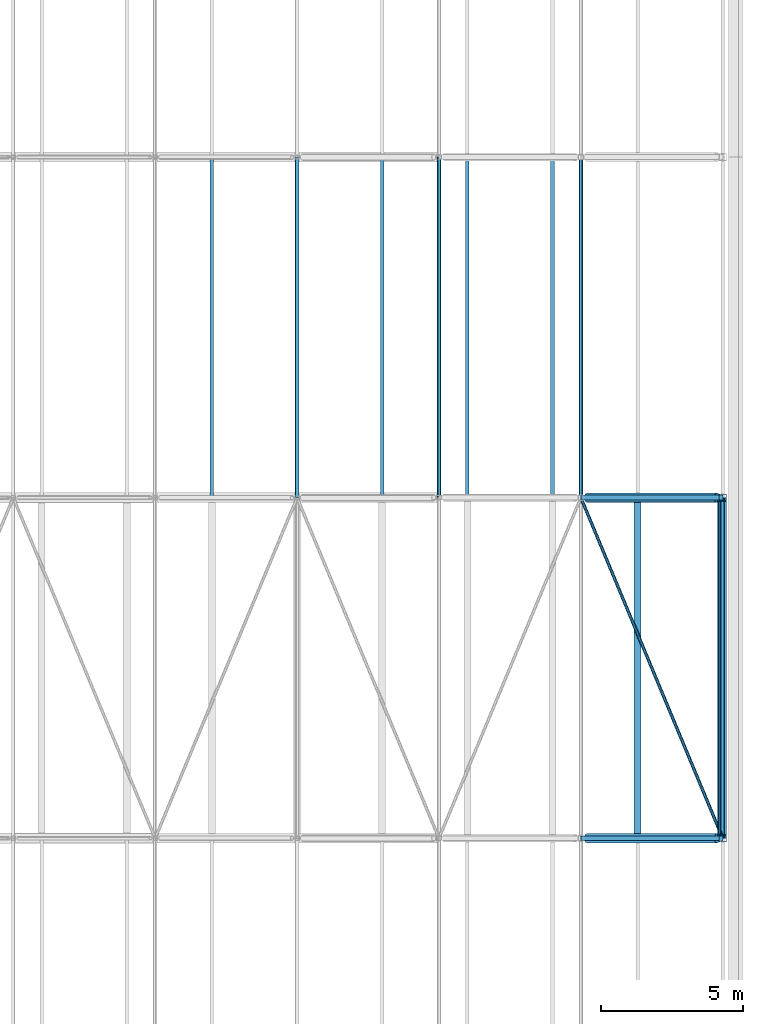
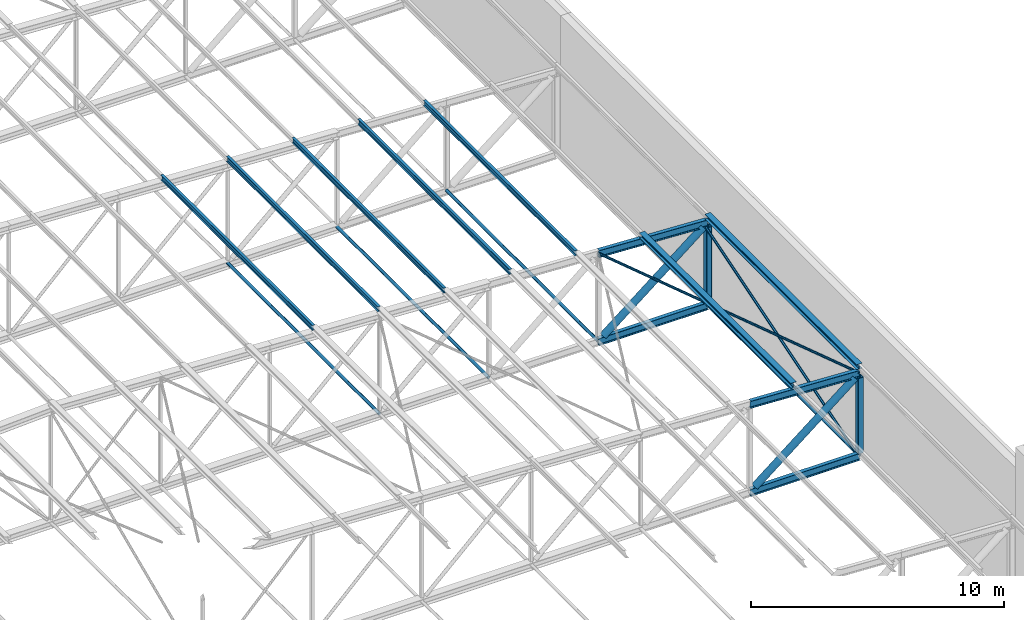
# One storey, part 122 of 156: 21 members.
"""IFC4 building model written with IfcOpenShell, lengths in metres."""

from ifc_helpers import new_model, si_unit, direction, frame, origin, origin_2d, place, context, subcontext, project, spatial, hollow_rectangle, hollow_circle, i_section, extrude, material, material_profile, profile_set, type_object, element, save


model = new_model("IFC4")

# Units and contexts
model_context = context("Model", 3, precision=1e-05, world=origin(), true_north=direction((0.0, 1.0)))
body_context = subcontext(model_context, "Body", "Model", "MODEL_VIEW")
ifc_project = project(units=[si_unit("LENGTHUNIT", "METRE"), si_unit("AREAUNIT", "SQUARE_METRE"), si_unit("VOLUMEUNIT", "CUBIC_METRE"), si_unit("PLANEANGLEUNIT", "RADIAN"), si_unit("MASSUNIT", "GRAM", prefix="KILO")], contexts=[model_context])

# Site, building, storey
site_placement = place(None, origin())
site = spatial("IfcSite", under=ifc_project, at=site_placement, CompositionType="ELEMENT")
building_placement = place(site_placement, origin())
building = spatial("IfcBuilding", under=site, at=building_placement, Name="Lilac Gate Convention Centre", CompositionType="ELEMENT")
storey_placement = place(building_placement, frame((0.0, 0.0, 17.0)))
storey = spatial("IfcBuildingStorey", under=building, at=storey_placement, Name="L03", CompositionType="ELEMENT", Elevation=17.0)

# Members
ifc_material = material(Name="Steel Q355B", Category="steel")
ifc_material_profile_1 = material_profile(ifc_material, hollow_circle(Radius=0.06982421875, WallThickness=0.0048828125, at=origin_2d()), Name="CHS139.7x5")
ifc_profile_set_1 = profile_set([ifc_material_profile_1], Name="Steel Q355B")
member_type_1 = type_object("IfcMemberType", Name="Bottom chord tie CHS139.7x5", PredefinedType="STRUT", material=ifc_profile_set_1)
member_1_placement = place(storey_placement, frame((90.0, 174.00341796875, 0.0), z_axis=(0.0, 1.0, 0.0), x_axis=(-1.0, 0.0, 0.0)))
element("IfcMember", 1, at=member_1_placement, inside=storey, type_object=member_type_1, Name="ST1 tie bay 13 node 13", PredefinedType="STRUT", context=body_context, shape_type="SweptSolid", body=[
    extrude(hollow_circle(Radius=0.06982421875, WallThickness=0.0048828125, at=origin_2d()), origin(), (0.0, 0.0, 1.0), 11.9931640625),
])
member_2_placement = place(storey_placement, frame((75.0, 186.006103515625, 0.0), z_axis=(0.0, 1.0, 0.0), x_axis=(-1.0, 0.0, 0.0)))
element("IfcMember", 2, at=member_2_placement, inside=storey, type_object=member_type_1, Name="ST1 tie bay 14 node 10", PredefinedType="STRUT", context=body_context, shape_type="SweptSolid", body=[
    extrude(hollow_circle(Radius=0.06982421875, WallThickness=0.0048828125, at=origin_2d()), origin(), (0.0, 0.0, 1.0), 11.98779296875),
])
for number, where, z_axis, x_axis, name in (
    (3, (80.0, 186.00341796875, 0.0), (0.0, 1.0, 0.0), (-1.0, 0.0, 0.0), "ST1 tie bay 14 node 11"),
    (4, (85.0, 186.00341796875, 0.0), (0.0, 1.0, 0.0), (-1.0, 0.0, 0.0), "ST1 tie bay 14 node 12"),
):
    element("IfcMember", number, at=place(storey_placement, frame(where, z_axis=z_axis, x_axis=x_axis)), inside=storey, type_object=member_type_1, Name=name, PredefinedType="STRUT", context=body_context, shape_type="SweptSolid", body=[
        extrude(hollow_circle(Radius=0.06982421875, WallThickness=0.0048828125, at=origin_2d()), origin(), (0.0, 0.0, 1.0), 11.9931640625),
    ])
ifc_material_profile_2 = material_profile(ifc_material, hollow_circle(Radius=0.05712890625, WallThickness=0.0048828125, at=origin_2d()), Name="CHS114.3x5")
ifc_profile_set_2 = profile_set([ifc_material_profile_2], Name="Steel Q355B")
member_type_2 = type_object("IfcMemberType", Name="Roof plane bracing CHS114.3x5", PredefinedType="BRACE", material=ifc_profile_set_2)
member_3_placement = place(storey_placement, frame((85.00146484375, 185.99658203125, 4.25), z_axis=(0.384538867181, -0.922908311091, -0.019238215751), x_axis=(0.923079146825, 0.384610047578, 0.0)))
element("IfcMember", 5, at=member_3_placement, inside=storey, type_object=member_type_2, Name="BR1 plan bracing bay 13 panel 12", PredefinedType="BRACE", context=body_context, shape_type="SweptSolid", body=[
    extrude(hollow_circle(Radius=0.05712890625, WallThickness=0.0048828125, at=origin_2d()), origin(), (0.0, 0.0, 1.0), 12.994873046875),
])
ifc_material_profile_3 = material_profile(ifc_material, i_section(OverallWidth=0.125, OverallDepth=0.25, WebThickness=0.006103515625, FlangeThickness=0.009033203125, FilletRadius=0.008056640625, at=origin_2d()), Name="HN250x125x6x9")
ifc_profile_set_3 = profile_set([ifc_material_profile_3], Name="Steel Q355B")
member_type_3 = type_object("IfcMemberType", Name="Roof purlin HN250x125x6x9", PredefinedType="PURLIN", material=ifc_profile_set_3)
for number, where, z_axis, x_axis, name in (
    (6, (72.0, 186.0, 5.2001953125), (0.0, 1.0, 0.0), (-1.0, 0.0, 0.0), "PU2 purlin bay 14 line 15"),
    (7, (75.0, 186.0, 5.05029296875), (0.0, 1.0, 0.0), (-1.0, 0.0, 0.0), "PU2 purlin bay 14 line 16"),
    (8, (78.0, 186.0, 4.900146484375), (0.0, 1.0, 0.0), (-1.0, 0.0, 0.0), "PU2 purlin bay 14 line 17"),
    (9, (81.0, 186.0, 4.750244140625), (0.0, 1.0, 0.0), (-1.0, 0.0, 0.0), "PU2 purlin bay 14 line 18"),
    (10, (84.0, 186.0, 4.60009765625), (0.0, 1.0, 0.0), (-1.0, 0.0, 0.0), "PU2 purlin bay 14 line 19"),
):
    element("IfcMember", number, at=place(storey_placement, frame(where, z_axis=z_axis, x_axis=x_axis)), inside=storey, type_object=member_type_3, Name=name, PredefinedType="PURLIN", context=body_context, shape_type="SweptSolid", body=[
        extrude(i_section(OverallWidth=0.125, OverallDepth=0.25, WebThickness=0.006103515625, FlangeThickness=0.009033203125, FilletRadius=0.008056640625, at=origin_2d()), origin(), (0.0, 0.0, 1.0), 12.0),
    ])
ifc_material_profile_4 = material_profile(ifc_material, i_section(OverallWidth=0.25, OverallDepth=0.25, WebThickness=0.009033203125, FlangeThickness=0.013916015625, FilletRadius=0.012939453125, at=origin_2d()), Name="HW250x250x9x14")
ifc_profile_set_4 = profile_set([ifc_material_profile_4], Name="Steel Q355B")
member_type_4 = type_object("IfcMemberType", Name="Roof purlin HW250x250x9x14", PredefinedType="PURLIN", material=ifc_profile_set_4)
for number, where, z_axis, x_axis, name in (
    (11, (87.0, 174.0, 4.4501953125), (0.0, 1.0, 0.0), (-1.0, 0.0, 0.0), "PU1 purlin bay 13 line 20"),
    (12, (90.0, 174.0, 4.30029296875), (0.0, 1.0, 0.0), (-1.0, 0.0, 0.0), "PU1 purlin bay 13 line 21"),
):
    element("IfcMember", number, at=place(storey_placement, frame(where, z_axis=z_axis, x_axis=x_axis)), inside=storey, type_object=member_type_4, Name=name, PredefinedType="PURLIN", context=body_context, shape_type="SweptSolid", body=[
        extrude(i_section(OverallWidth=0.25, OverallDepth=0.25, WebThickness=0.009033203125, FlangeThickness=0.013916015625, FilletRadius=0.012939453125, at=origin_2d()), origin(), (0.0, 0.0, 1.0), 12.0),
    ])
ifc_material_profile_5 = material_profile(ifc_material, i_section(OverallWidth=0.175048828125, OverallDepth=0.35009765625, WebThickness=0.007080078125, FlangeThickness=0.010986328125, FilletRadius=0.012939453125, at=origin_2d()), Name="HN350x175x7x11")
ifc_profile_set_5 = profile_set([ifc_material_profile_5], Name="Steel Q355B")
member_type_5 = type_object("IfcMemberType", Name="Truss bottom chord HN350x175x7x11", PredefinedType="CHORD", material=ifc_profile_set_5)
for number, where, z_axis, x_axis, name in (
    (13, (85.0, 174.0, 0.0), (1.0, 0.0, 0.0), (0.0, 1.0, 0.0), "TB1 truss 13 bottom chord 12"),
    (14, (85.0, 186.0, 0.0), (1.0, 0.0, 0.0), (0.0, 1.0, 0.0), "TB1 truss 14 bottom chord 12"),
):
    element("IfcMember", number, at=place(storey_placement, frame(where, z_axis=z_axis, x_axis=x_axis)), inside=storey, type_object=member_type_5, Name=name, PredefinedType="CHORD", context=body_context, shape_type="SweptSolid", body=[
        extrude(i_section(OverallWidth=0.175048828125, OverallDepth=0.35009765625, WebThickness=0.007080078125, FlangeThickness=0.010986328125, FilletRadius=0.012939453125, at=origin_2d()), origin(), (0.0, 0.0, 1.0), 5.0),
    ])
ifc_material_profile_6 = material_profile(ifc_material, hollow_circle(Radius=0.161865234375, WallThickness=0.011962890625, at=origin_2d()), Name="CHS323.9x12")
ifc_profile_set_6 = profile_set([ifc_material_profile_6], Name="Steel Q355B")
member_type_6 = type_object("IfcMemberType", Name="Truss diagonal CHS323.9x12", PredefinedType="BRACE", material=ifc_profile_set_6)
for number, where, z_axis, x_axis, name in (
    (15, (89.794677734375, 174.0, 3.835693359375), (-0.780876938611, 0.0, -0.624684885959), (0.0, -1.0, 0.0), "TW1 truss 13 diagonal 12"),
    (16, (89.794677734375, 186.0, 3.835693359375), (-0.780876938611, 0.0, -0.624684885959), (0.0, -1.0, 0.0), "TW1 truss 14 diagonal 12"),
):
    element("IfcMember", number, at=place(storey_placement, frame(where, z_axis=z_axis, x_axis=x_axis)), inside=storey, type_object=member_type_6, Name=name, PredefinedType="BRACE", context=body_context, shape_type="SweptSolid", body=[
        extrude(hollow_circle(Radius=0.161865234375, WallThickness=0.011962890625, at=origin_2d()), origin(), (0.0, 0.0, 1.0), 5.860107421875),
    ])
ifc_material_profile_7 = material_profile(ifc_material, i_section(OverallWidth=0.175048828125, OverallDepth=0.35009765625, WebThickness=0.007080078125, FlangeThickness=0.010986328125, FilletRadius=0.012939453125, at=origin_2d()), Name="HN350x175x7x11")
ifc_profile_set_7 = profile_set([ifc_material_profile_7], Name="Steel Q355B")
member_type_7 = type_object("IfcMemberType", Name="Truss top chord HN350x175x7x11", PredefinedType="CHORD", material=ifc_profile_set_7)
for number, where, z_axis, x_axis, name in (
    (17, (85.0, 174.0, 4.25), (0.998752338878, 0.0, -0.049937616944), (0.0, 1.0, 0.0), "TT1 truss 13 top chord 12"),
    (18, (85.0, 186.0, 4.25), (0.998752338878, 0.0, -0.049937616944), (0.0, 1.0, 0.0), "TT1 truss 14 top chord 12"),
):
    element("IfcMember", number, at=place(storey_placement, frame(where, z_axis=z_axis, x_axis=x_axis)), inside=storey, type_object=member_type_7, Name=name, PredefinedType="CHORD", context=body_context, shape_type="SweptSolid", body=[
        extrude(i_section(OverallWidth=0.175048828125, OverallDepth=0.35009765625, WebThickness=0.007080078125, FlangeThickness=0.010986328125, FilletRadius=0.012939453125, at=origin_2d()), origin(), (0.0, 0.0, 1.0), 5.00634765625),
    ])
ifc_material_profile_8 = material_profile(ifc_material, hollow_rectangle(XDim=0.25, YDim=0.25, WallThickness=0.010009765625, InnerFilletRadius=0.014892578125, OuterFilletRadius=0.02490234375, at=origin_2d()), Name="SHS250x250x10")
ifc_profile_set_8 = profile_set([ifc_material_profile_8], Name="Steel Q355B")
member_type_8 = type_object("IfcMemberType", Name="Truss vertical SHS250x250x10", PredefinedType="STRUT", material=ifc_profile_set_8)
for number, where, z_axis, x_axis, name in (
    (19, (90.0, 174.0, 0.175048828125), (0.0, 0.0, 1.0), (1.0, 0.0, 0.0), "TV1 truss 13 vertical 13"),
    (20, (90.0, 186.0, 0.175048828125), (0.0, 0.0, 1.0), (1.0, 0.0, 0.0), "TV1 truss 14 vertical 13"),
):
    element("IfcMember", number, at=place(storey_placement, frame(where, z_axis=z_axis, x_axis=x_axis)), inside=storey, type_object=member_type_8, Name=name, PredefinedType="STRUT", context=body_context, shape_type="SweptSolid", body=[
        extrude(hollow_rectangle(XDim=0.25, YDim=0.25, WallThickness=0.010009765625, InnerFilletRadius=0.014892578125, OuterFilletRadius=0.02490234375, at=origin_2d()), origin(), (0.0, 0.0, 1.0), 3.649658203125),
    ])
ifc_material_profile_9 = material_profile(ifc_material, hollow_circle(Radius=0.05712890625, WallThickness=0.006103515625, at=origin_2d()), Name="CHS114.3x6")
ifc_profile_set_9 = profile_set([ifc_material_profile_9], Name="Steel Q355B")
member_type_9 = type_object("IfcMemberType", Name="Vertical bracing CHS114.3x6", PredefinedType="BRACE", material=ifc_profile_set_9)
member_4_placement = place(storey_placement, frame((89.8798828125, 174.08740234375, 0.175048828125), z_axis=(0.0, 0.955386652678, 0.295357992757), x_axis=(-1.0, 0.0, 0.0)))
element("IfcMember", 21, at=member_4_placement, inside=storey, type_object=member_type_9, Name="BR2 vertical bracing bay 13 line 3", PredefinedType="BRACE", context=body_context, shape_type="SweptSolid", body=[
    extrude(hollow_circle(Radius=0.05712890625, WallThickness=0.006103515625, at=origin_2d()), origin(), (0.0, 0.0, 1.0), 12.37744140625),
])

save(model, "model.ifc")
